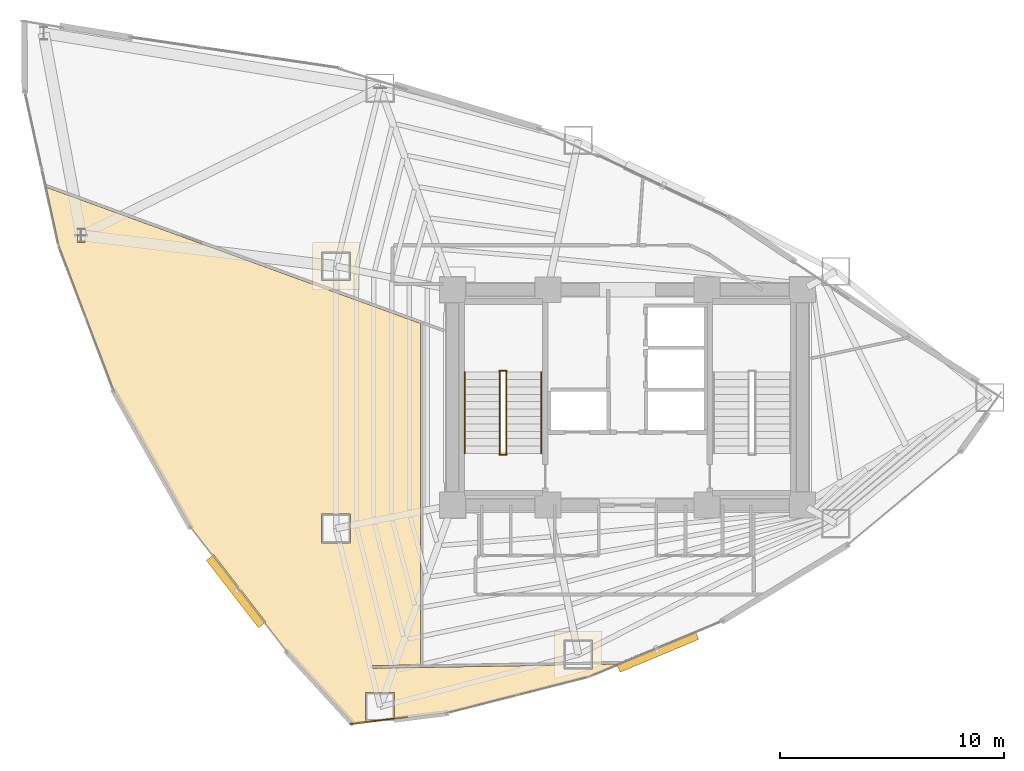
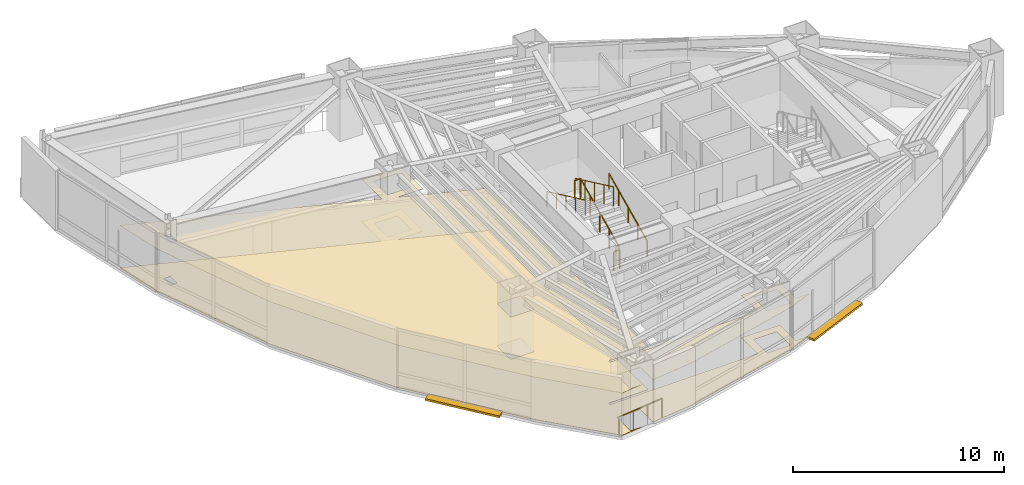
# One storey, part 22 of 25: 7 railings, 2 coverings, 2 shading devices.
"""IFC4 building model written with IfcOpenShell, lengths in metres."""

import ifcopenshell
import ifcopenshell.guid

model = None  # the IFC model being written
_history = None  # IfcOwnerHistory: only IFC2X3 demands one
_inside = {}  # id of a spatial element -> (the spatial element, [elements in it])
_under = {}  # id of a project, library or spatial element -> (it, [spatial elements below it])
_declared = {}  # id of a project -> (the project, [libraries it declares])
_typed = {}  # id of a type object -> (the type object, [elements of that type])
_made_of = {}  # id of a material, layer set ... -> (it, [elements and type objects made of it])


def new_model(schema):
    """Start an empty IFC model of exactly this schema.

    Asked for "IFC4X3", IfcOpenShell would pick the latest addendum, in which some entities
    have other attributes; the version numbers below select the first issue.
    IFC2X3 requires an IfcOwnerHistory on every rooted entity: one is made here for all.
    """
    global model, _history
    if schema == "IFC4X3":
        model = ifcopenshell.file(schema_version=(4, 3, 0, 0))
    else:
        model = ifcopenshell.file(schema=schema)
    _inside.clear()
    _under.clear()
    _declared.clear()
    _typed.clear()
    _made_of.clear()
    _history = None
    if model.schema == "IFC2X3":
        org = make("IfcOrganization", Name="unknown")
        user = make(
            "IfcPersonAndOrganization",
            ThePerson=make("IfcPerson", FamilyName="unknown"),
            TheOrganization=org,
        )
        app = make(
            "IfcApplication",
            ApplicationDeveloper=org,
            Version="unknown",
            ApplicationFullName="unknown",
            ApplicationIdentifier="unknown",
        )
        _history = make(
            "IfcOwnerHistory",
            OwningUser=user,
            OwningApplication=app,
            ChangeAction="ADDED",
            CreationDate=0,
        )
    return model


def make(cls, **values):
    """One entity of the class cls with the attributes given. An attribute that is None is left unset."""
    return model.create_entity(
        cls, **{name: value for name, value in values.items() if value is not None}
    )


def rooted(cls, **values):
    """An entity with a GlobalId (a new one), such as an element, a storey or a relation."""
    return make(cls, GlobalId=ifcopenshell.guid.new(), OwnerHistory=_history, **values)


def si_unit(unit_type, name, prefix=None):
    """IfcSIUnit, for example si_unit("LENGTHUNIT", "METRE", prefix="MILLI")."""
    return make("IfcSIUnit", UnitType=unit_type, Prefix=prefix, Name=name)


def assignment(units):
    """IfcUnitAssignment: the units of a project."""
    return None if units is None else make("IfcUnitAssignment", Units=units)


def point(xyz):
    """IfcCartesianPoint."""
    return None if xyz is None else make("IfcCartesianPoint", Coordinates=xyz)


def direction(xyz):
    """IfcDirection."""
    return None if xyz is None else make("IfcDirection", DirectionRatios=xyz)


def frame(location, z_axis=None, x_axis=None):
    """IfcAxis2Placement3D, a coordinate frame: its origin and axes. An axis left out is left unset."""
    return make(
        "IfcAxis2Placement3D",
        Location=point(location),
        Axis=direction(z_axis),
        RefDirection=direction(x_axis),
    )


def frame_2d(location, x_axis=None):
    """IfcAxis2Placement2D, a coordinate frame in the plane: its origin and x axis."""
    return make(
        "IfcAxis2Placement2D", Location=point(location), RefDirection=direction(x_axis)
    )


def origin():
    """The frame at (0, 0, 0) with its axes left unset."""
    return frame((0.0, 0.0, 0.0))


def origin_2d():
    """The frame at (0, 0) in the plane with its x axis left unset."""
    return frame_2d((0.0, 0.0))


def place(relative_to, where):
    """IfcLocalPlacement: puts the frame where relative to a parent placement (None: the world)."""
    return make(
        "IfcLocalPlacement", PlacementRelTo=relative_to, RelativePlacement=where
    )


def context(
    kind, dimensions, precision=None, world=None, true_north=None, identifier=None
):
    """IfcGeometricRepresentationContext, for example the 3D "Model" context."""
    return make(
        "IfcGeometricRepresentationContext",
        ContextIdentifier=identifier,
        ContextType=kind,
        CoordinateSpaceDimension=dimensions,
        Precision=precision,
        WorldCoordinateSystem=world,
        TrueNorth=true_north,
    )


def subcontext(parent, identifier, kind, view, scale=None):
    """IfcGeometricRepresentationSubContext, for example "Body" below "Model"."""
    return make(
        "IfcGeometricRepresentationSubContext",
        ContextIdentifier=identifier,
        ContextType=kind,
        ParentContext=parent,
        TargetScale=scale,
        TargetView=view,
    )


def project(units=None, contexts=None):
    """IfcProject with its units and contexts."""
    return rooted(
        "IfcProject",
        Name="project",
        RepresentationContexts=contexts,
        UnitsInContext=assignment(units),
    )


def spatial(cls, under=None, at=None, **own):
    """A site, building, storey or space (cls), placed at a placement, below another one or the project."""
    s = rooted(cls, ObjectPlacement=at, **own)
    if under is not None:
        _under.setdefault(under.id(), (under, []))[1].append(s)
    return s


def polyline(points):
    """IfcPolyline through the points."""
    return make("IfcPolyline", Points=[point(p) for p in points])


def profile(cls, at=None, kind="AREA", **sizes):
    """A parametric profile (cls). Its sizes go by their IFC names, for example OverallWidth=200.0."""
    return make(cls, ProfileType=kind, Position=at, **sizes)


def rectangle(**sizes):
    """IfcRectangleProfileDef."""
    return profile("IfcRectangleProfileDef", **sizes)


def circle(**sizes):
    """IfcCircleProfileDef."""
    return profile("IfcCircleProfileDef", **sizes)


def outline(outer, holes=None, kind="AREA"):
    """IfcArbitraryClosedProfileDef: a profile drawn as a closed curve; with holes, ...WithVoids."""
    if holes is None:
        return make("IfcArbitraryClosedProfileDef", ProfileType=kind, OuterCurve=outer)
    return make(
        "IfcArbitraryProfileDefWithVoids",
        ProfileType=kind,
        OuterCurve=outer,
        InnerCurves=holes,
    )


def extrude(swept, where, along, depth):
    """IfcExtrudedAreaSolid: the profile swept, set in the frame where, extruded along a direction by depth."""
    return make(
        "IfcExtrudedAreaSolid",
        SweptArea=swept,
        Position=where,
        ExtrudedDirection=direction(along),
        Depth=depth,
    )


def shape(context_of_items, identifier, shape_type, items):
    """IfcShapeRepresentation: the items that make up one representation, for example the "Body"."""
    return make(
        "IfcShapeRepresentation",
        ContextOfItems=context_of_items,
        RepresentationIdentifier=identifier,
        RepresentationType=shape_type,
        Items=items,
    )


def material(Name=None, Category=None):
    """IfcMaterial."""
    return make("IfcMaterial", Name=Name, Category=Category)


def layer(
    of_material, thickness, ventilated=None, Name=None, Category=None, Priority=None
):
    """IfcMaterialLayer: one layer of a wall or slab, of a material (None: an air gap)."""
    return make(
        "IfcMaterialLayer",
        Material=of_material,
        LayerThickness=thickness,
        IsVentilated=ventilated,
        Name=Name,
        Category=Category,
        Priority=Priority,
    )


def layer_set(layers, Name=None):
    """IfcMaterialLayerSet."""
    return make("IfcMaterialLayerSet", MaterialLayers=layers, LayerSetName=Name)


def made_of(thing, what):
    """Note that an element or type object is made of a material, layer set ...; save() writes the relation."""
    if what is not None:
        _made_of.setdefault(what.id(), (what, []))[1].append(thing)
    return thing


def type_object(cls, material=None, **own):
    """A type object (cls), such as IfcWallType, which elements share."""
    return made_of(rooted(cls, **own), material)


def element(
    cls,
    number,
    at=None,
    inside=None,
    cuts=None,
    type_object=None,
    material=None,
    context=None,
    identifier="Body",
    shape_type=None,
    held_by="IfcProductDefinitionShape",
    body=None,
    shapes=None,
    **own,
):
    """One element of the class cls, such as IfcWall. Its Tag is "e" and its number.

    at: its placement. inside: the storey or other place that contains it. cuts: it is an
    opening in that element (IfcRelVoidsElement). A single representation is given by context,
    identifier, shape_type and body (its items); several are given by shapes. held_by: the class
    of the entity that holds the representations. save() writes the other relations.
    """
    e = rooted(cls, Tag="e%d" % number, ObjectPlacement=at, **own)
    if body is not None:
        shapes = [shape(context, identifier, shape_type, body)]
    if shapes is not None:
        e.Representation = make(held_by, Representations=shapes)
    if inside is not None:
        _inside.setdefault(inside.id(), (inside, []))[1].append(e)
    if cuts is not None:
        rooted(
            "IfcRelVoidsElement", RelatingBuildingElement=cuts, RelatedOpeningElement=e
        )
    if type_object is not None:
        _typed.setdefault(type_object.id(), (type_object, []))[1].append(e)
    return made_of(e, material)


def aggregate(whole, parts):
    """IfcRelAggregates: a whole, such as a stair, and the parts it consists of."""
    return rooted("IfcRelAggregates", RelatingObject=whole, RelatedObjects=parts)


def save(model, path):
    """Write the relations noted so far, then the file.

    IfcRelAggregates (storeys below a building ...), IfcRelContainedInSpatialStructure (elements
    in a storey), IfcRelDefinesByType, IfcRelAssociatesMaterial and IfcRelDeclares: one each for
    every whole, place, type object, material and project.
    """
    for whole, parts in _under.values():
        aggregate(whole, parts)
    for where, things in _inside.values():
        rooted(
            "IfcRelContainedInSpatialStructure",
            RelatedElements=things,
            RelatingStructure=where,
        )
    for kind, things in _typed.values():
        rooted("IfcRelDefinesByType", RelatedObjects=things, RelatingType=kind)
    for what, things in _made_of.values():
        rooted("IfcRelAssociatesMaterial", RelatedObjects=things, RelatingMaterial=what)
    for by, libraries in _declared.values():
        rooted("IfcRelDeclares", RelatingContext=by, RelatedDefinitions=libraries)
    model.write(path)


model = new_model("IFC4")

# Units and contexts
model_context = context("Model", 3, precision=1e-05, world=origin(), true_north=direction((0.0, 1.0)))
body_context = subcontext(model_context, "Body", "Model", "MODEL_VIEW")
ifc_project = project(units=[si_unit("LENGTHUNIT", "METRE"), si_unit("AREAUNIT", "SQUARE_METRE"), si_unit("VOLUMEUNIT", "CUBIC_METRE"), si_unit("PLANEANGLEUNIT", "RADIAN"), si_unit("MASSUNIT", "GRAM", prefix="KILO")], contexts=[model_context])

# Site, building, storey
site_placement = place(None, origin())
site = spatial("IfcSite", under=ifc_project, at=site_placement, CompositionType="ELEMENT")
building_placement = place(site_placement, origin())
building = spatial("IfcBuilding", under=site, at=building_placement, Name="Menara Vayukalpa", CompositionType="ELEMENT")
storey_placement = place(building_placement, frame((0.0, 0.0, 115.139892578125)))
storey = spatial("IfcBuildingStorey", under=building, at=storey_placement, Name="L28", CompositionType="ELEMENT", Elevation=115.139892578125)

# Coverings
ifc_material_1 = material(Name="Mineral Fibre Acoustic Ceiling Tile", Category="masonry")
ifc_layer_1 = layer(ifc_material_1, 0.02490234375)
ifc_layer_set_1 = layer_set([ifc_layer_1], Name="Mineral Fibre Acoustic Ceiling Tile")
covering_type_1 = type_object("IfcCoveringType", Name="COV-CLG1", PredefinedType="CEILING", material=ifc_layer_set_1)
covering_1_placement = place(storey_placement, frame((0.0, 0.0, 2.4501953125)))
element("IfcCovering", 1, at=covering_1_placement, inside=storey, type_object=covering_type_1, Name="L28 Executive Boardroom Acoustic Ceiling", PredefinedType="CEILING", context=body_context, shape_type="SweptSolid", body=[
    extrude(outline(polyline([(25.16650390625, 10.11083984375), (25.16748046875, 10.11083984375), (25.16845703125, 10.110595703125), (25.16943359375, 10.1103515625), (25.17041015625, 10.110107421875), (25.17138671875, 10.109619140625), (25.172119140625, 10.109130859375), (25.1728515625, 10.108642578125), (25.173583984375, 10.10791015625), (25.17431640625, 10.107177734375), (25.1748046875, 10.1064453125), (25.175537109375, 10.105712890625), (25.17578125, 10.104736328125), (25.17626953125, 10.103759765625), (25.176513671875, 10.102783203125), (25.176513671875, 10.101806640625), (25.1767578125, 10.100830078125), (25.1767578125, 10.099853515625), (25.176513671875, 10.098876953125), (25.17626953125, 10.097900390625), (25.176025390625, 10.096923828125), (25.175537109375, 10.09619140625), (25.175048828125, 10.09521484375), (25.174560546875, 10.094482421875), (25.173828125, 10.09375), (25.173095703125, 10.093017578125), (25.17236328125, 10.092529296875), (25.17138671875, 10.092041015625), (25.170654296875, 10.091552734375), (23.90478515625, 9.562255859375), (23.903564453125, 9.561767578125), (17.50927734375, 7.930908203125), (17.5078125, 7.9306640625), (15.208984375, 7.64404296875), (15.208984375, 8.842529296875), (13.92919921875, 8.842529296875), (13.92919921875, 7.5625), (14.5556640625, 7.5625), (13.4052734375, 7.419189453125), (13.404296875, 7.419189453125), (13.4033203125, 7.419189453125), (13.402587890625, 7.419189453125), (13.401611328125, 7.41943359375), (13.400634765625, 7.419677734375), (13.39990234375, 7.420166015625), (13.39892578125, 7.42041015625), (13.398193359375, 7.421142578125), (13.3974609375, 7.421630859375), (13.396728515625, 7.42236328125), (10.439208984375, 10.650634765625), (10.438720703125, 10.6513671875), (6.10546875, 16.248046875), (6.104736328125, 16.249267578125), (2.710205078125, 22.2841796875), (2.7099609375, 22.284912109375), (2.709716796875, 22.28564453125), (0.25341796875, 28.75927734375), (0.2529296875, 28.7607421875), (-0.31640625, 31.3525390625), (-0.31640625, 31.353515625), (-0.31640625, 31.3544921875), (-0.31640625, 31.35546875), (-0.31640625, 31.3564453125), (-0.316162109375, 31.357421875), (-0.31591796875, 31.3583984375), (-0.3154296875, 31.359130859375), (-0.31494140625, 31.360107421875), (-0.314453125, 31.36083984375), (-0.313720703125, 31.361572265625), (-0.31298828125, 31.3623046875), (-0.312255859375, 31.36279296875), (-0.3115234375, 31.36328125), (-0.310546875, 31.36376953125), (-0.309814453125, 31.3642578125), (-0.308837890625, 31.364501953125), (-0.307861328125, 31.364501953125), (-0.306884765625, 31.36474609375), (-0.305908203125, 31.36474609375), (-0.304931640625, 31.364501953125), (-0.303955078125, 31.364501953125), (-0.302978515625, 31.364013671875), (11.546630859375, 27.05126953125), (11.546630859375, 28.90576171875), (13.66650390625, 28.90576171875), (13.66650390625, 26.78564453125), (12.276123046875, 26.78564453125), (16.35693359375, 25.30029296875), (16.35791015625, 25.300048828125), (16.358642578125, 25.299560546875), (16.359619140625, 25.298828125), (16.3603515625, 25.29833984375), (16.361083984375, 25.297607421875), (16.36181640625, 25.296630859375), (16.3623046875, 25.2958984375), (16.36279296875, 25.294921875), (16.363037109375, 25.2939453125), (16.36328125, 25.29296875), (16.36328125, 25.2919921875), (16.363525390625, 25.291015625), (16.363525390625, 10.0869140625), (16.363525390625, 10.0859375), (16.36328125, 10.085205078125), (16.363037109375, 10.083984375), (16.36279296875, 10.083251953125), (16.3623046875, 10.082275390625), (16.36181640625, 10.08154296875), (16.361328125, 10.080810546875), (16.360595703125, 10.080078125), (16.35986328125, 10.079345703125), (16.359130859375, 10.07861328125), (16.3583984375, 10.078125), (16.357421875, 10.077880859375), (16.3564453125, 10.077392578125), (16.355712890625, 10.0771484375), (16.3544921875, 10.0771484375), (16.353759765625, 10.076904296875), (14.228515625, 10.039794921875), (14.222412109375, 10.03955078125), (14.21630859375, 10.03857421875), (14.210693359375, 10.037109375), (14.205078125, 10.034912109375), (14.199951171875, 10.032470703125), (14.19482421875, 10.029296875), (14.190185546875, 10.025634765625), (14.185791015625, 10.021484375), (14.181884765625, 10.01708984375), (14.1787109375, 10.012451171875), (14.17578125, 10.007080078125), (14.17333984375, 10.001953125), (14.17138671875, 9.996337890625), (14.170166015625, 9.990478515625), (14.16943359375, 9.98486328125), (14.169189453125, 9.978759765625), (14.16943359375, 9.972900390625), (14.17041015625, 9.96728515625), (14.172119140625, 9.96142578125), (14.174072265625, 9.9560546875), (14.1767578125, 9.95068359375), (14.1796875, 9.94580078125), (14.183349609375, 9.941162109375), (14.1875, 9.936767578125), (14.19189453125, 9.932861328125), (14.19677734375, 9.929443359375), (14.20166015625, 9.926513671875), (14.20703125, 9.924072265625), (14.212890625, 9.922119140625), (14.218505859375, 9.9208984375), (14.224365234375, 9.920166015625), (14.23046875, 9.919921875), (22.34814453125, 10.0615234375), (22.34814453125, 11.592529296875), (24.46826171875, 11.592529296875), (24.46826171875, 10.0986328125), (25.16650390625, 10.11083984375)]), holes=[polyline([(13.24658203125, 16.794189453125), (11.966552734375, 16.794189453125), (11.966552734375, 15.514404296875), (13.24658203125, 15.514404296875), (13.24658203125, 16.794189453125)]), polyline([(13.24658203125, 28.485595703125), (11.966552734375, 28.485595703125), (11.966552734375, 27.205810546875), (13.24658203125, 27.205810546875), (13.24658203125, 28.485595703125)]), polyline([(1.40478515625, 28.914306640625), (1.40478515625, 29.5322265625), (1.074951171875, 29.5322265625), (1.074951171875, 28.914306640625), (1.40478515625, 28.914306640625)]), polyline([(24.048095703125, 11.172607421875), (22.768310546875, 11.172607421875), (22.768310546875, 9.892578125), (24.048095703125, 9.892578125), (24.048095703125, 11.172607421875)])]), origin(), (0.0, 0.0, 1.0), 0.02490234375),
])
ifc_material_2 = material(Name="Porcelain Stoneware Floor Tile", Category="masonry")
ifc_layer_2 = layer(ifc_material_2, 0.02001953125)
ifc_layer_set_2 = layer_set([ifc_layer_2], Name="Porcelain Stoneware Floor Tile")
covering_type_2 = type_object("IfcCoveringType", Name="COV-FLR1", PredefinedType="FLOORING", material=ifc_layer_set_2)
covering_2_placement = place(storey_placement, origin())
element("IfcCovering", 2, at=covering_2_placement, inside=storey, type_object=covering_type_2, Name="L28 Executive Boardroom Porcelain Flooring", PredefinedType="FLOORING", context=body_context, shape_type="SweptSolid", body=[
    extrude(outline(polyline([(25.16650390625, 10.11083984375), (25.16748046875, 10.11083984375), (25.16845703125, 10.110595703125), (25.16943359375, 10.1103515625), (25.17041015625, 10.110107421875), (25.17138671875, 10.109619140625), (25.172119140625, 10.109130859375), (25.1728515625, 10.108642578125), (25.173583984375, 10.10791015625), (25.17431640625, 10.107177734375), (25.1748046875, 10.1064453125), (25.175537109375, 10.105712890625), (25.17578125, 10.104736328125), (25.17626953125, 10.103759765625), (25.176513671875, 10.102783203125), (25.176513671875, 10.101806640625), (25.1767578125, 10.100830078125), (25.1767578125, 10.099853515625), (25.176513671875, 10.098876953125), (25.17626953125, 10.097900390625), (25.176025390625, 10.096923828125), (25.175537109375, 10.09619140625), (25.175048828125, 10.09521484375), (25.174560546875, 10.094482421875), (25.173828125, 10.09375), (25.173095703125, 10.093017578125), (25.17236328125, 10.092529296875), (25.17138671875, 10.092041015625), (25.170654296875, 10.091552734375), (23.90478515625, 9.562255859375), (23.903564453125, 9.561767578125), (17.50927734375, 7.930908203125), (17.5078125, 7.9306640625), (15.208984375, 7.64404296875), (15.208984375, 8.842529296875), (13.92919921875, 8.842529296875), (13.92919921875, 7.5625), (14.5556640625, 7.5625), (13.4052734375, 7.419189453125), (13.404296875, 7.419189453125), (13.4033203125, 7.419189453125), (13.402587890625, 7.419189453125), (13.401611328125, 7.41943359375), (13.400634765625, 7.419677734375), (13.39990234375, 7.420166015625), (13.39892578125, 7.42041015625), (13.398193359375, 7.421142578125), (13.3974609375, 7.421630859375), (13.396728515625, 7.42236328125), (10.439208984375, 10.650634765625), (10.438720703125, 10.6513671875), (6.10546875, 16.248046875), (6.104736328125, 16.249267578125), (2.710205078125, 22.2841796875), (2.7099609375, 22.284912109375), (2.709716796875, 22.28564453125), (0.25341796875, 28.75927734375), (0.2529296875, 28.7607421875), (-0.31640625, 31.3525390625), (-0.31640625, 31.353515625), (-0.31640625, 31.3544921875), (-0.31640625, 31.35546875), (-0.31640625, 31.3564453125), (-0.316162109375, 31.357421875), (-0.31591796875, 31.3583984375), (-0.3154296875, 31.359130859375), (-0.31494140625, 31.360107421875), (-0.314453125, 31.36083984375), (-0.313720703125, 31.361572265625), (-0.31298828125, 31.3623046875), (-0.312255859375, 31.36279296875), (-0.3115234375, 31.36328125), (-0.310546875, 31.36376953125), (-0.309814453125, 31.3642578125), (-0.308837890625, 31.364501953125), (-0.307861328125, 31.364501953125), (-0.306884765625, 31.36474609375), (-0.305908203125, 31.36474609375), (-0.304931640625, 31.364501953125), (-0.303955078125, 31.364501953125), (-0.302978515625, 31.364013671875), (11.546630859375, 27.05126953125), (11.546630859375, 28.90576171875), (13.66650390625, 28.90576171875), (13.66650390625, 26.78564453125), (12.276123046875, 26.78564453125), (16.35693359375, 25.30029296875), (16.35791015625, 25.300048828125), (16.358642578125, 25.299560546875), (16.359619140625, 25.298828125), (16.3603515625, 25.29833984375), (16.361083984375, 25.297607421875), (16.36181640625, 25.296630859375), (16.3623046875, 25.2958984375), (16.36279296875, 25.294921875), (16.363037109375, 25.2939453125), (16.36328125, 25.29296875), (16.36328125, 25.2919921875), (16.363525390625, 25.291015625), (16.363525390625, 10.0869140625), (16.363525390625, 10.0859375), (16.36328125, 10.085205078125), (16.363037109375, 10.083984375), (16.36279296875, 10.083251953125), (16.3623046875, 10.082275390625), (16.36181640625, 10.08154296875), (16.361328125, 10.080810546875), (16.360595703125, 10.080078125), (16.35986328125, 10.079345703125), (16.359130859375, 10.07861328125), (16.3583984375, 10.078125), (16.357421875, 10.077880859375), (16.3564453125, 10.077392578125), (16.355712890625, 10.0771484375), (16.3544921875, 10.0771484375), (16.353759765625, 10.076904296875), (14.228515625, 10.039794921875), (14.222412109375, 10.03955078125), (14.21630859375, 10.03857421875), (14.210693359375, 10.037109375), (14.205078125, 10.034912109375), (14.199951171875, 10.032470703125), (14.19482421875, 10.029296875), (14.190185546875, 10.025634765625), (14.185791015625, 10.021484375), (14.181884765625, 10.01708984375), (14.1787109375, 10.012451171875), (14.17578125, 10.007080078125), (14.17333984375, 10.001953125), (14.17138671875, 9.996337890625), (14.170166015625, 9.990478515625), (14.16943359375, 9.98486328125), (14.169189453125, 9.978759765625), (14.16943359375, 9.972900390625), (14.17041015625, 9.96728515625), (14.172119140625, 9.96142578125), (14.174072265625, 9.9560546875), (14.1767578125, 9.95068359375), (14.1796875, 9.94580078125), (14.183349609375, 9.941162109375), (14.1875, 9.936767578125), (14.19189453125, 9.932861328125), (14.19677734375, 9.929443359375), (14.20166015625, 9.926513671875), (14.20703125, 9.924072265625), (14.212890625, 9.922119140625), (14.218505859375, 9.9208984375), (14.224365234375, 9.920166015625), (14.23046875, 9.919921875), (22.34814453125, 10.0615234375), (22.34814453125, 11.592529296875), (24.46826171875, 11.592529296875), (24.46826171875, 10.0986328125), (25.16650390625, 10.11083984375)]), holes=[polyline([(13.24658203125, 16.794189453125), (11.966552734375, 16.794189453125), (11.966552734375, 15.514404296875), (13.24658203125, 15.514404296875), (13.24658203125, 16.794189453125)]), polyline([(13.24658203125, 28.485595703125), (11.966552734375, 28.485595703125), (11.966552734375, 27.205810546875), (13.24658203125, 27.205810546875), (13.24658203125, 28.485595703125)]), polyline([(1.40478515625, 28.914306640625), (1.40478515625, 29.5322265625), (1.074951171875, 29.5322265625), (1.074951171875, 28.914306640625), (1.40478515625, 28.914306640625)]), polyline([(24.048095703125, 11.172607421875), (22.768310546875, 11.172607421875), (22.768310546875, 9.892578125), (24.048095703125, 9.892578125), (24.048095703125, 11.172607421875)])]), origin(), (0.0, 0.0, 1.0), 0.02001953125),
])

# Railings
ifc_material_3 = material(Name="Laminated Glass and Stainless Steel 316 Guardrail", Category="steel")
railing_type_1 = type_object("IfcRailingType", Name="RLG-EXT115", PredefinedType="GUARDRAIL", material=ifc_material_3)
railing_1_placement = place(storey_placement, frame((13.231201171875, 7.437744140625, 0.0)))
element("IfcRailing", 3, at=railing_1_placement, inside=storey, type_object=railing_type_1, Name="L28 Column Corner Spandrel Guardrail 14-1", PredefinedType="GUARDRAIL", context=body_context, shape_type="SweptSolid", body=[
    extrude(circle(Radius=0.02392578125, at=origin_2d()), frame((0.0, 0.0, 1.1259765625), z_axis=(0.992317327434, 0.12371871998, 0.0), x_axis=(-0.12371871998, 0.992317327434, 0.0)), (0.0, 0.0, 1.0), 2.5673828125),
    extrude(circle(Radius=0.02099609375, at=origin_2d()), origin(), (0.0, 0.0, 1.0), 1.101806640625),
    extrude(circle(Radius=0.02099609375, at=origin_2d()), frame((0.84912109375, 0.10595703125, 0.0)), (0.0, 0.0, 1.0), 1.101806640625),
    extrude(circle(Radius=0.02099609375, at=origin_2d()), frame((1.698486328125, 0.211669921875, 0.0)), (0.0, 0.0, 1.0), 1.101806640625),
    extrude(circle(Radius=0.02099609375, at=origin_2d()), frame((2.547607421875, 0.317626953125, 0.0)), (0.0, 0.0, 1.0), 1.101806640625),
])
ifc_material_4 = material(Name="Powder-Coated Galvanised Steel Guardrail", Category="steel")
railing_type_2 = type_object("IfcRailingType", Name="RLG-STG110", PredefinedType="GUARDRAIL", material=ifc_material_4)
railing_2_placement = place(storey_placement, frame((20.199951171875, 19.5, 0.155029296875)))
element("IfcRailing", 4, at=railing_2_placement, inside=storey, type_object=railing_type_2, Name="L28 ST-1 stair guard 1", PredefinedType="GUARDRAIL", context=body_context, shape_type="SweptSolid", body=[
    extrude(circle(Radius=0.02392578125, at=origin_2d()), frame((0.0, 0.0, 1.09619140625), z_axis=(0.0, 0.90511648382, 0.425163675209), x_axis=(-1.0, 0.0, 0.0)), (0.0, 0.0, 1.0), 4.010498046875),
    extrude(circle(Radius=0.02099609375, at=origin_2d()), origin(), (0.0, 0.0, 1.0), 1.072021484375),
    extrude(circle(Radius=0.02099609375, at=origin_2d()), frame((0.0, 0.907470703125, 0.42626953125)), (0.0, 0.0, 1.0), 1.072021484375),
    extrude(circle(Radius=0.02099609375, at=origin_2d()), frame((0.0, 1.81494140625, 0.8525390625)), (0.0, 0.0, 1.0), 1.072021484375),
    extrude(circle(Radius=0.02099609375, at=origin_2d()), frame((0.0, 2.722412109375, 1.27880859375)), (0.0, 0.0, 1.0), 1.072021484375),
    extrude(circle(Radius=0.02099609375, at=origin_2d()), frame((0.0, 3.6298828125, 1.705078125)), (0.0, 0.0, 1.0), 1.072021484375),
])
railing_3_placement = place(storey_placement, frame((20.2099609375, 23.179931640625, 1.860107421875)))
element("IfcRailing", 5, at=railing_3_placement, inside=storey, type_object=railing_type_2, Name="L28 ST-1 stair guard 2", PredefinedType="GUARDRAIL", context=body_context, shape_type="SweptSolid", body=[
    extrude(circle(Radius=0.02392578125, at=origin_2d()), frame((0.0, 0.0, 1.09619140625), z_axis=(-1.0, 0.0, 0.0), x_axis=(0.0, -1.0, 0.0)), (0.0, 0.0, 1.0), 0.320068359375),
    extrude(circle(Radius=0.02099609375, at=origin_2d()), origin(), (0.0, 0.0, 1.0), 1.072021484375),
    extrude(circle(Radius=0.02099609375, at=origin_2d()), frame((-0.320068359375, 0.0, 0.0)), (0.0, 0.0, 1.0), 1.072021484375),
])
railing_4_placement = place(storey_placement, frame((19.89990234375, 23.1298828125, 2.01513671875)))
element("IfcRailing", 6, at=railing_4_placement, inside=storey, type_object=railing_type_2, Name="L28 ST-1 stair guard 3", PredefinedType="GUARDRAIL", context=body_context, shape_type="SweptSolid", body=[
    extrude(circle(Radius=0.02392578125, at=origin_2d()), frame((0.0, 0.0, 1.09619140625), z_axis=(0.0, -0.90511648382, 0.425163675209), x_axis=(1.0, 0.0, 0.0)), (0.0, 0.0, 1.0), 4.010498046875),
    extrude(circle(Radius=0.02099609375, at=origin_2d()), origin(), (0.0, 0.0, 1.0), 1.072021484375),
    extrude(circle(Radius=0.02099609375, at=origin_2d()), frame((0.0, -0.907470703125, 0.42626953125)), (0.0, 0.0, 1.0), 1.072021484375),
    extrude(circle(Radius=0.02099609375, at=origin_2d()), frame((0.0, -1.81494140625, 0.8525390625)), (0.0, 0.0, 1.0), 1.072021484375),
    extrude(circle(Radius=0.02099609375, at=origin_2d()), frame((0.0, -2.722412109375, 1.27880859375)), (0.0, 0.0, 1.0), 1.072021484375),
    extrude(circle(Radius=0.02099609375, at=origin_2d()), frame((0.0, -3.6298828125, 1.705078125)), (0.0, 0.0, 1.0), 1.072021484375),
])
railing_5_placement = place(storey_placement, frame((20.2099609375, 19.449951171875, 0.0)))
element("IfcRailing", 7, at=railing_5_placement, inside=storey, type_object=railing_type_2, Name="L28 ST-1 stair guard 4", PredefinedType="GUARDRAIL", context=body_context, shape_type="SweptSolid", body=[
    extrude(circle(Radius=0.02392578125, at=origin_2d()), frame((0.0, 0.0, 1.09619140625), z_axis=(-1.0, 0.0, 0.0), x_axis=(0.0, -1.0, 0.0)), (0.0, 0.0, 1.0), 0.320068359375),
    extrude(circle(Radius=0.02099609375, at=origin_2d()), origin(), (0.0, 0.0, 1.0), 1.072021484375),
    extrude(circle(Radius=0.02099609375, at=origin_2d()), frame((-0.320068359375, 0.0, 0.0)), (0.0, 0.0, 1.0), 1.072021484375),
])
ifc_material_5 = material(Name="Stainless Steel 316 Tubular Handrail", Category="steel")
railing_type_3 = type_object("IfcRailingType", Name="RLG-STH090", PredefinedType="HANDRAIL", material=ifc_material_5)
railing_6_placement = place(storey_placement, frame((21.75, 19.5, 0.155029296875)))
element("IfcRailing", 8, at=railing_6_placement, inside=storey, type_object=railing_type_3, Name="L28 ST-1 stair handrail 1", PredefinedType="HANDRAIL", context=body_context, shape_type="SweptSolid", body=[
    extrude(circle(Radius=0.02392578125, at=origin_2d()), frame((0.0, 0.0, 0.8759765625), z_axis=(0.0, 0.90511648382, 0.425163675209), x_axis=(-1.0, 0.0, 0.0)), (0.0, 0.0, 1.0), 4.010498046875),
    extrude(circle(Radius=0.02099609375, at=origin_2d()), origin(), (0.0, 0.0, 1.0), 0.851806640625),
    extrude(circle(Radius=0.02099609375, at=origin_2d()), frame((0.0, 0.907470703125, 0.42626953125)), (0.0, 0.0, 1.0), 0.851806640625),
    extrude(circle(Radius=0.02099609375, at=origin_2d()), frame((0.0, 1.81494140625, 0.8525390625)), (0.0, 0.0, 1.0), 0.851806640625),
    extrude(circle(Radius=0.02099609375, at=origin_2d()), frame((0.0, 2.722412109375, 1.27880859375)), (0.0, 0.0, 1.0), 0.851806640625),
    extrude(circle(Radius=0.02099609375, at=origin_2d()), frame((0.0, 3.6298828125, 1.705078125)), (0.0, 0.0, 1.0), 0.851806640625),
])
railing_7_placement = place(storey_placement, frame((18.35009765625, 23.1298828125, 2.01513671875)))
element("IfcRailing", 9, at=railing_7_placement, inside=storey, type_object=railing_type_3, Name="L28 ST-1 stair handrail 2", PredefinedType="HANDRAIL", context=body_context, shape_type="SweptSolid", body=[
    extrude(circle(Radius=0.02392578125, at=origin_2d()), frame((0.0, 0.0, 0.8759765625), z_axis=(0.0, -0.90511648382, 0.425163675209), x_axis=(1.0, 0.0, 0.0)), (0.0, 0.0, 1.0), 4.010498046875),
    extrude(circle(Radius=0.02099609375, at=origin_2d()), origin(), (0.0, 0.0, 1.0), 0.851806640625),
    extrude(circle(Radius=0.02099609375, at=origin_2d()), frame((0.0, -0.907470703125, 0.42626953125)), (0.0, 0.0, 1.0), 0.851806640625),
    extrude(circle(Radius=0.02099609375, at=origin_2d()), frame((0.0, -1.81494140625, 0.8525390625)), (0.0, 0.0, 1.0), 0.851806640625),
    extrude(circle(Radius=0.02099609375, at=origin_2d()), frame((0.0, -2.722412109375, 1.27880859375)), (0.0, 0.0, 1.0), 0.851806640625),
    extrude(circle(Radius=0.02099609375, at=origin_2d()), frame((0.0, -3.6298828125, 1.705078125)), (0.0, 0.0, 1.0), 0.851806640625),
])

# Shading devices
ifc_material_6 = material(Name="Glazed Terracotta Ceramic Baguette Extrusion", Category="masonry")
ifc_layer_3 = layer(ifc_material_6, 0.1201171875)
ifc_layer_set_3 = layer_set([ifc_layer_3], Name="Glazed Terracotta Ceramic Baguette Extrusion")
shading_device_type = type_object("IfcShadingDeviceType", Name="SHD-SS1", PredefinedType="USERDEFINED", material=ifc_layer_set_3)
for number, where, z_axis, x_axis, name in (
    (10, (8.1533203125, 13.358154296875, -0.099853515625), (0.0, 0.0, 1.0), (0.612189679389, -0.790710943677, 0.0), "L28 Horizontal Terracotta Sunshade Band 13"),
    (11, (26.940673828125, 10.66943359375, -0.099853515625), (0.0, 0.0, 1.0), (0.922544824647, 0.385889940938, 0.0), "L28 Horizontal Terracotta Sunshade Band 17"),
):
    element("IfcShadingDevice", number, at=place(storey_placement, frame(where, z_axis=z_axis, x_axis=x_axis)), inside=storey, type_object=shading_device_type, Name=name, ObjectType="SUNSHADE", PredefinedType="USERDEFINED", context=body_context, shape_type="SweptSolid", body=[
        extrude(rectangle(XDim=3.800048828125, YDim=0.419921875, at=origin_2d()), origin(), (0.0, 0.0, 1.0), 0.1201171875),
    ])

save(model, "model.ifc")
